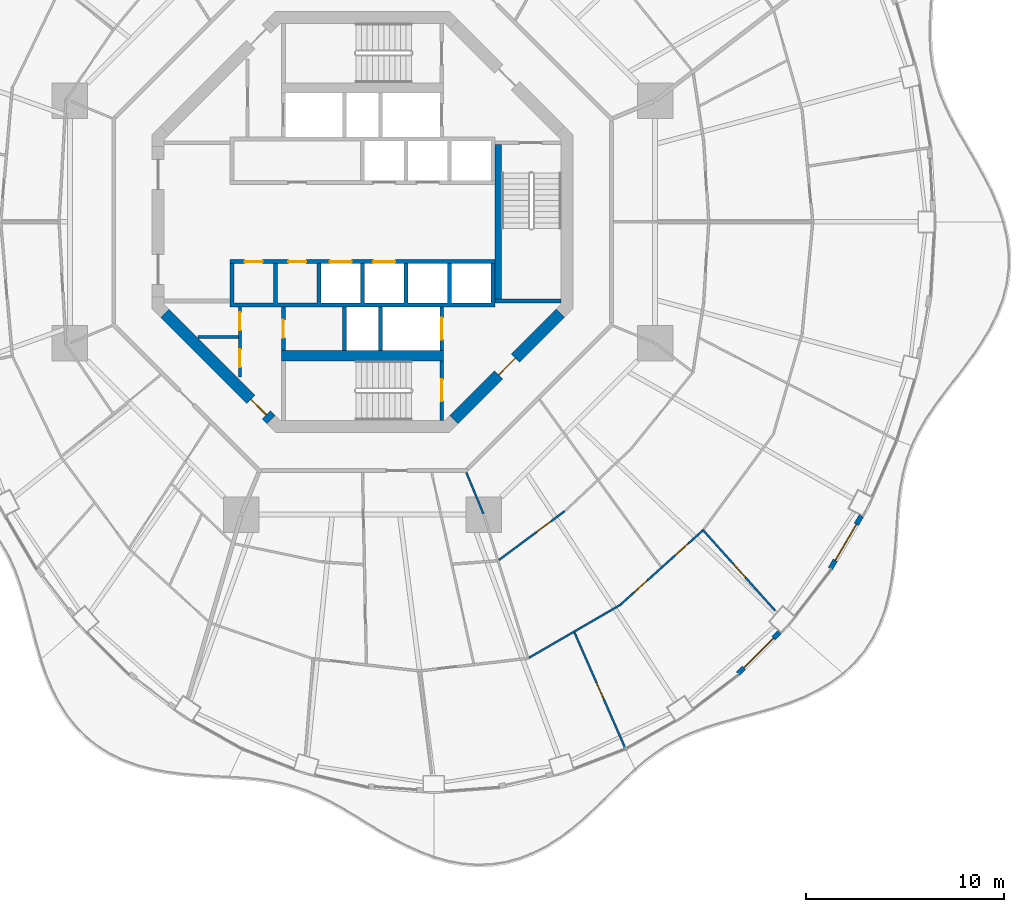
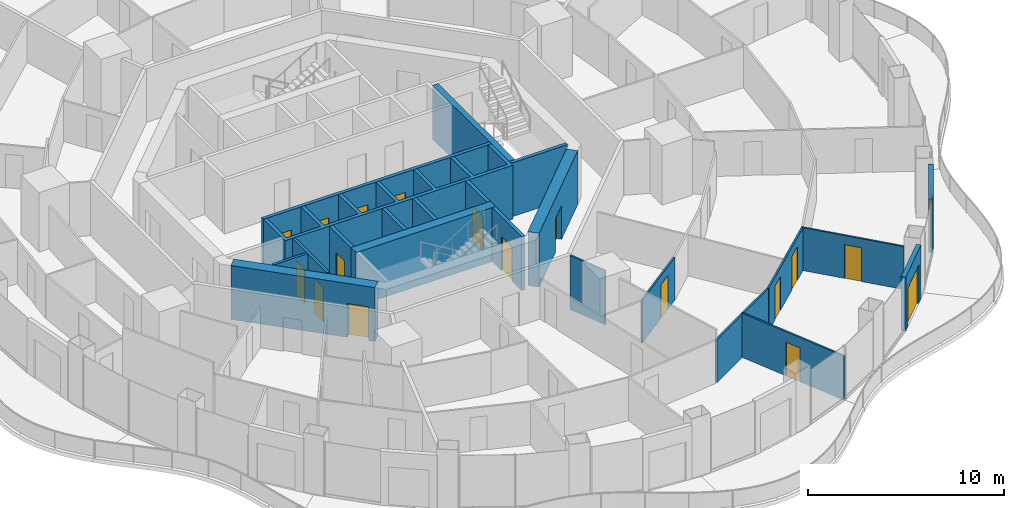
# One storey, part 12 of 19: 22 walls, 18 doors, 18 openings.
"""IFC4 building model written with IfcOpenShell, lengths in metres."""

from ifc_helpers import new_model, si_unit, direction, frame, frame_2d, origin, place, context, subcontext, project, spatial, polyline, rectangle, outline, extrude, material, layer, layer_set, type_object, element, fill, save


model = new_model("IFC4")

# Units and contexts
model_context = context("Model", 3, precision=1e-05, world=origin(), true_north=direction((0.0, 1.0)))
body_context = subcontext(model_context, "Body", "Model", "MODEL_VIEW")
ifc_project = project(units=[si_unit("LENGTHUNIT", "METRE"), si_unit("AREAUNIT", "SQUARE_METRE"), si_unit("VOLUMEUNIT", "CUBIC_METRE"), si_unit("PLANEANGLEUNIT", "RADIAN"), si_unit("MASSUNIT", "GRAM", prefix="KILO")], contexts=[model_context])

# Site, building, storey
site_placement = place(None, origin())
site = spatial("IfcSite", under=ifc_project, at=site_placement, CompositionType="ELEMENT")
building_placement = place(site_placement, origin())
building = spatial("IfcBuilding", under=site, at=building_placement, Name="Nagisa Residences", CompositionType="ELEMENT")
storey_placement = place(building_placement, frame((0.0, 0.0, 202.89990234375)))
storey = spatial("IfcBuildingStorey", under=building, at=storey_placement, Name="L51", CompositionType="ELEMENT", Elevation=202.89990234375)

# Wall
ifc_material_1 = material(Name="Gypsum board on steel studs", Category="steel")
ifc_layer_1 = layer(ifc_material_1, 0.10009765625)
ifc_layer_set_1 = layer_set([ifc_layer_1], Name="Apartment partition 100")
wall_type_1 = type_object("IfcWallType", Name="Apartment partition 100", PredefinedType="PARTITIONING", material=ifc_layer_set_1)
wall_1_placement = place(storey_placement, frame((5.24267578125, -12.6572265625, 0.0), z_axis=(0.0, 0.0, 1.0), x_axis=(0.382719158442, -0.923864733477, 0.0)))
element("IfcWall", 1, at=wall_1_placement, inside=storey, type_object=wall_type_1, Name="wall:L51:u76", PredefinedType="PARTITIONING", context=body_context, shape_type="SweptSolid", body=[
    extrude(rectangle(XDim=2.25, YDim=0.10009765625, at=frame_2d((1.125, 0.0))), origin(), (0.0, 0.0, 1.0), 3.35009765625),
])

# Wall, opening, door
wall_2_placement = place(storey_placement, frame((6.881103515625, -17.07958984375, 0.0), z_axis=(0.0, 0.0, 1.0), x_axis=(0.802784956441, 0.596268659005, 0.0)))
wall_2 = element("IfcWall", 2, at=wall_2_placement, inside=storey, type_object=wall_type_1, Name="wall:L51:u78", PredefinedType="PARTITIONING", context=body_context, shape_type="SweptSolid", body=[
    extrude(rectangle(XDim=4.142333984375, YDim=0.10009765625, at=frame_2d((2.0712890625, 0.0))), origin(), (0.0, 0.0, 1.0), 2.666015625),
])
opening_1_placement = place(wall_2_placement, frame((2.3837890625, 0.0, 0.0)))
opening_1 = element("IfcOpeningElement", 3, at=opening_1_placement, cuts=wall_2, Name="Opening L51-U18", PredefinedType="OPENING", context=body_context, shape_type="SweptSolid", body=[
    extrude(rectangle(XDim=0.89990234375, YDim=2.10009765625, at=frame_2d((0.449951171875, 1.050048828125))), frame((0.0, 0.06005859375, 0.0), z_axis=(0.0, -1.0, 0.0), x_axis=(1.0, 0.0, 0.0)), (0.0, 0.0, 1.0), 0.1201171875),
])
ifc_material_2 = material(Name="Timber door set", Category="wood")
door_type_1 = type_object("IfcDoorType", Name="Apartment door 900x2100", OperationType="NOTDEFINED", PredefinedType="DOOR", material=ifc_material_2)
door_1_placement = place(opening_1_placement, origin())
door_1 = element("IfcDoor", 4, at=door_1_placement, inside=storey, type_object=door_type_1, Name="Door to store, Apartment 51A", OperationType="SINGLE_SWING_RIGHT", OverallHeight=2.10009765625, OverallWidth=0.89990234375, PredefinedType="DOOR", context=body_context, shape_type="SweptSolid", body=[
    extrude(rectangle(XDim=0.89990234375, YDim=2.10009765625, at=frame_2d((0.449951171875, 1.050048828125))), frame((0.0, 0.02490234375, 0.0), z_axis=(0.0, -1.0, 0.0), x_axis=(1.0, 0.0, 0.0)), (0.0, 0.0, 1.0), 0.050048828125),
])
fill(opening_1, door_1)

# Wall
wall_3_placement = place(storey_placement, frame((8.405029296875, -22.01318359375, 0.0), z_axis=(0.0, 0.0, 1.0), x_axis=(0.865277177388, 0.501293732547, 0.0)))
element("IfcWall", 5, at=wall_3_placement, inside=storey, type_object=wall_type_1, Name="wall:L51:u79", PredefinedType="PARTITIONING", context=body_context, shape_type="SweptSolid", body=[
    extrude(rectangle(XDim=5.27001953125, YDim=0.10009765625, at=frame_2d((2.635009765625, 0.0))), origin(), (0.0, 0.0, 1.0), 2.666015625),
])

# Wall, opening, door
wall_4_placement = place(storey_placement, frame((10.705078125, -20.738037109375, 0.0), z_axis=(0.0, 0.0, 1.0), x_axis=(0.401740633891, -0.915753494714, 0.0)))
wall_4 = element("IfcWall", 6, at=wall_4_placement, inside=storey, type_object=wall_type_1, Name="wall:L51:u80", PredefinedType="PARTITIONING", context=body_context, shape_type="SweptSolid", body=[
    extrude(rectangle(XDim=6.4453125, YDim=0.10009765625, at=frame_2d((3.22265625, 0.0))), origin(), (0.0, 0.0, 1.0), 2.7470703125),
])
opening_2_placement = place(wall_4_placement, frame((2.772705078125, 0.0, 0.0)))
opening_2 = element("IfcOpeningElement", 7, at=opening_2_placement, cuts=wall_4, Name="Opening L51-U09", PredefinedType="OPENING", context=body_context, shape_type="SweptSolid", body=[
    extrude(rectangle(XDim=0.89990234375, YDim=2.10009765625, at=frame_2d((0.449951171875, 1.050048828125))), frame((0.0, 0.06005859375, 0.0), z_axis=(0.0, -1.0, 0.0), x_axis=(1.0, 0.0, 0.0)), (0.0, 0.0, 1.0), 0.1201171875),
])
door_2_placement = place(opening_2_placement, origin())
door_2 = element("IfcDoor", 8, at=door_2_placement, inside=storey, type_object=door_type_1, Name="Door to living room, Apartment 51A", OperationType="SINGLE_SWING_LEFT", OverallHeight=2.10009765625, OverallWidth=0.89990234375, PredefinedType="DOOR", context=body_context, shape_type="SweptSolid", body=[
    extrude(rectangle(XDim=0.89990234375, YDim=2.10009765625, at=frame_2d((0.449951171875, 1.050048828125))), frame((0.0, 0.02490234375, 0.0), z_axis=(0.0, -1.0, 0.0), x_axis=(1.0, 0.0, 0.0)), (0.0, 0.0, 1.0), 0.050048828125),
])
fill(opening_2, door_2)

# Wall, openings, doors
wall_5_placement = place(storey_placement, frame((12.97119140625, -19.3798828125, 0.0), z_axis=(0.0, 0.0, 1.0), x_axis=(0.742768881471, 0.669547898748, 0.0)))
wall_5 = element("IfcWall", 9, at=wall_5_placement, inside=storey, type_object=wall_type_1, Name="wall:L51:u82", PredefinedType="PARTITIONING", context=body_context, shape_type="SweptSolid", body=[
    extrude(rectangle(XDim=5.6416015625, YDim=0.10009765625, at=frame_2d((2.82080078125, 0.0))), origin(), (0.0, 0.0, 1.0), 2.666015625),
])
opening_3_placement = place(wall_5_placement, frame((1.010498046875, 0.0, 0.0)))
opening_3 = element("IfcOpeningElement", 10, at=opening_3_placement, cuts=wall_5, Name="Opening L51-U13", PredefinedType="OPENING", context=body_context, shape_type="SweptSolid", body=[
    extrude(rectangle(XDim=0.89990234375, YDim=2.10009765625, at=frame_2d((0.449951171875, 1.050048828125))), frame((0.0, 0.06005859375, 0.0), z_axis=(0.0, -1.0, 0.0), x_axis=(1.0, 0.0, 0.0)), (0.0, 0.0, 1.0), 0.1201171875),
])
opening_4_placement = place(wall_5_placement, frame((3.806396484375, 0.0, 0.0)))
opening_4 = element("IfcOpeningElement", 11, at=opening_4_placement, cuts=wall_5, Name="Opening L51-U14", PredefinedType="OPENING", context=body_context, shape_type="SweptSolid", body=[
    extrude(rectangle(XDim=0.89990234375, YDim=2.10009765625, at=frame_2d((0.449951171875, 1.050048828125))), frame((0.0, 0.06005859375, 0.0), z_axis=(0.0, -1.0, 0.0), x_axis=(1.0, 0.0, 0.0)), (0.0, 0.0, 1.0), 0.1201171875),
])
door_3_placement = place(opening_3_placement, origin())
door_3 = element("IfcDoor", 12, at=door_3_placement, inside=storey, type_object=door_type_1, Name="Door to kitchen, Apartment 51A", OperationType="SINGLE_SWING_LEFT", OverallHeight=2.10009765625, OverallWidth=0.89990234375, PredefinedType="DOOR", context=body_context, shape_type="SweptSolid", body=[
    extrude(rectangle(XDim=0.89990234375, YDim=2.10009765625, at=frame_2d((0.449951171875, 1.050048828125))), frame((0.0, 0.02490234375, 0.0), z_axis=(0.0, -1.0, 0.0), x_axis=(1.0, 0.0, 0.0)), (0.0, 0.0, 1.0), 0.050048828125),
])
fill(opening_3, door_3)
door_4_placement = place(opening_4_placement, origin())
door_4 = element("IfcDoor", 13, at=door_4_placement, inside=storey, type_object=door_type_1, Name="Door to dining room, Apartment 51A", OperationType="SINGLE_SWING_RIGHT", OverallHeight=2.10009765625, OverallWidth=0.89990234375, PredefinedType="DOOR", context=body_context, shape_type="SweptSolid", body=[
    extrude(rectangle(XDim=0.89990234375, YDim=2.10009765625, at=frame_2d((0.449951171875, 1.050048828125))), frame((0.0, 0.02490234375, 0.0), z_axis=(0.0, -1.0, 0.0), x_axis=(1.0, 0.0, 0.0)), (0.0, 0.0, 1.0), 0.050048828125),
])
fill(opening_4, door_4)

# Wall, opening, door
wall_6_placement = place(storey_placement, frame((17.16552734375, -15.53173828125, 0.0), z_axis=(0.0, 0.0, 1.0), x_axis=(0.66728415915, -0.744803229684, 0.0)))
wall_6 = element("IfcWall", 14, at=wall_6_placement, inside=storey, type_object=wall_type_1, Name="wall:L51:u85", PredefinedType="PARTITIONING", context=body_context, shape_type="SweptSolid", body=[
    extrude(rectangle(XDim=5.511474609375, YDim=0.10009765625, at=frame_2d((2.755859375, 0.0))), origin(), (0.0, 0.0, 1.0), 2.666015625),
])
opening_5_placement = place(wall_6_placement, frame((2.330810546875, 0.0, 0.0)))
opening_5 = element("IfcOpeningElement", 15, at=opening_5_placement, cuts=wall_6, Name="Opening L51-U10", PredefinedType="OPENING", context=body_context, shape_type="SweptSolid", body=[
    extrude(rectangle(XDim=0.89990234375, YDim=2.10009765625, at=frame_2d((0.449951171875, 1.050048828125))), frame((0.0, 0.06005859375, 0.0), z_axis=(0.0, -1.0, 0.0), x_axis=(1.0, 0.0, 0.0)), (0.0, 0.0, 1.0), 0.1201171875),
])
door_5_placement = place(opening_5_placement, origin())
door_5 = element("IfcDoor", 16, at=door_5_placement, inside=storey, type_object=door_type_1, Name="Door to dining room, Apartment 51A", OperationType="SINGLE_SWING_RIGHT", OverallHeight=2.10009765625, OverallWidth=0.89990234375, PredefinedType="DOOR", context=body_context, shape_type="SweptSolid", body=[
    extrude(rectangle(XDim=0.89990234375, YDim=2.10009765625, at=frame_2d((0.449951171875, 1.050048828125))), frame((0.0, 0.02490234375, 0.0), z_axis=(0.0, -1.0, 0.0), x_axis=(1.0, 0.0, 0.0)), (0.0, 0.0, 1.0), 0.050048828125),
])
fill(opening_5, door_5)

ifc_material_3 = material(Name="Precast concrete C40/50", Category="concrete")
ifc_layer_2 = layer(ifc_material_3, 0.25)
ifc_layer_set_2 = layer_set([ifc_layer_2], Name="BALCONY DOOR WALL 250")
wall_type_2 = type_object("IfcWallType", Name="BALCONY DOOR WALL 250", PredefinedType="SOLIDWALL", material=ifc_layer_set_2)
wall_7_placement = place(storey_placement, frame((21.065185546875, -20.7177734375, 0.0), z_axis=(0.0, 0.0, 1.0), x_axis=(-0.707844845069, -0.706367946122, 0.0)))
wall_7 = element("IfcWall", 17, at=wall_7_placement, inside=storey, type_object=wall_type_2, Name="wall:L51:bay41", PredefinedType="SOLIDWALL", context=body_context, shape_type="SweptSolid", body=[
    extrude(rectangle(XDim=2.9755859375, YDim=0.25, at=frame_2d((1.48779296875, 0.0))), origin(), (0.0, 0.0, 1.0), 3.35009765625),
])
opening_6_placement = place(wall_7_placement, frame((0.437744140625, 0.0, 0.0)))
opening_6 = element("IfcOpeningElement", 18, at=opening_6_placement, cuts=wall_7, Name="Opening BD-L51-14", PredefinedType="OPENING", context=body_context, shape_type="SweptSolid", body=[
    extrude(rectangle(XDim=2.10009765625, YDim=2.39990234375, at=frame_2d((1.050048828125, 1.199951171875))), frame((0.0, 0.135009765625, 0.0), z_axis=(0.0, -1.0, 0.0), x_axis=(1.0, 0.0, 0.0)), (0.0, 0.0, 1.0), 0.27001953125),
])
ifc_material_4 = material(Name="Aluminium and clear glass", Category="aluminium")
door_type_2 = type_object("IfcDoorType", Name="BALCONY SLIDING DOOR 2100x2400", OperationType="SLIDING_TO_LEFT", PredefinedType="DOOR", material=ifc_material_4)
door_6_placement = place(opening_6_placement, origin())
door_6 = element("IfcDoor", 19, at=door_6_placement, inside=storey, type_object=door_type_2, Name="door:L51:bay41", OperationType="SLIDING_TO_LEFT", OverallHeight=2.39990234375, OverallWidth=2.10009765625, PredefinedType="DOOR", context=body_context, shape_type="SweptSolid", body=[
    extrude(rectangle(XDim=2.10009765625, YDim=2.39990234375, at=frame_2d((1.050048828125, 1.199951171875))), frame((0.0, 0.02490234375, 0.0), z_axis=(0.0, -1.0, 0.0), x_axis=(1.0, 0.0, 0.0)), (0.0, 0.0, 1.0), 0.050048828125),
])
fill(opening_6, door_6)

wall_8_placement = place(storey_placement, frame((25.189208984375, -14.848388671875, 0.0), z_axis=(0.0, 0.0, 1.0), x_axis=(-0.506367803691, -0.862317602386, 0.0)))
wall_8 = element("IfcWall", 20, at=wall_8_placement, inside=storey, type_object=wall_type_2, Name="wall:L51:bay43", PredefinedType="SOLIDWALL", context=body_context, shape_type="SweptSolid", body=[
    extrude(rectangle(XDim=3.092041015625, YDim=0.25, at=frame_2d((1.5458984375, 0.0))), origin(), (0.0, 0.0, 1.0), 3.35009765625),
])
opening_7_placement = place(wall_8_placement, frame((0.495849609375, 0.0, 0.0)))
opening_7 = element("IfcOpeningElement", 21, at=opening_7_placement, cuts=wall_8, Name="Opening BD-L51-15", PredefinedType="OPENING", context=body_context, shape_type="SweptSolid", body=[
    extrude(rectangle(XDim=2.10009765625, YDim=2.39990234375, at=frame_2d((1.050048828125, 1.199951171875))), frame((0.0, 0.135009765625, 0.0), z_axis=(0.0, -1.0, 0.0), x_axis=(1.0, 0.0, 0.0)), (0.0, 0.0, 1.0), 0.27001953125),
])
door_7_placement = place(opening_7_placement, origin())
door_7 = element("IfcDoor", 22, at=door_7_placement, inside=storey, type_object=door_type_2, Name="door:L51:bay43", OperationType="SLIDING_TO_LEFT", OverallHeight=2.39990234375, OverallWidth=2.10009765625, PredefinedType="DOOR", context=body_context, shape_type="SweptSolid", body=[
    extrude(rectangle(XDim=2.10009765625, YDim=2.39990234375, at=frame_2d((1.050048828125, 1.199951171875))), frame((0.0, 0.02490234375, 0.0), z_axis=(0.0, -1.0, 0.0), x_axis=(1.0, 0.0, 0.0)), (0.0, 0.0, 1.0), 0.050048828125),
])
fill(opening_7, door_7)

# Wall, openings, doors
ifc_material_5 = material(Name="Gypsum board on steel studs", Category="steel")
ifc_layer_3 = layer(ifc_material_5, 0.14990234375)
ifc_layer_set_3 = layer_set([ifc_layer_3], Name="Core partition 150")
wall_type_3 = type_object("IfcWallType", Name="Core partition 150", PredefinedType="PARTITIONING", material=ifc_layer_set_3)
wall_9_placement = place(storey_placement, frame((-6.199951171875, -7.826904296875, 0.0), z_axis=(0.0, 0.0, 1.0), x_axis=(0.0, 1.0, 0.0)))
wall_9 = element("IfcWall", 23, at=wall_9_placement, inside=storey, type_object=wall_type_3, Name="wall:L51:SWp", PredefinedType="PARTITIONING", context=body_context, shape_type="SweptSolid", body=[
    extrude(rectangle(XDim=3.52685546875, YDim=0.14990234375, at=frame_2d((1.763427734375, 0.0))), origin(), (0.0, 0.0, 1.0), 3.35009765625),
])
opening_8_placement = place(wall_9_placement, frame((2.364501953125, 0.0, 0.0)))
opening_8 = element("IfcOpeningElement", 24, at=opening_8_placement, cuts=wall_9, Name="Opening L51-C12", PredefinedType="OPENING", context=body_context, shape_type="SweptSolid", body=[
    extrude(rectangle(XDim=0.89990234375, YDim=2.10009765625, at=frame_2d((0.449951171875, 1.050048828125))), frame((0.0, 0.0849609375, 0.0), z_axis=(0.0, -1.0, 0.0), x_axis=(1.0, 0.0, 0.0)), (0.0, 0.0, 1.0), 0.169921875),
])
opening_9_placement = place(wall_9_placement, frame((0.488525390625, 0.0, 0.0)))
opening_9 = element("IfcOpeningElement", 25, at=opening_9_placement, cuts=wall_9, Name="Opening L51-C13", PredefinedType="OPENING", context=body_context, shape_type="SweptSolid", body=[
    extrude(rectangle(XDim=0.89990234375, YDim=2.10009765625, at=frame_2d((0.449951171875, 1.050048828125))), frame((0.0, 0.0849609375, 0.0), z_axis=(0.0, -1.0, 0.0), x_axis=(1.0, 0.0, 0.0)), (0.0, 0.0, 1.0), 0.169921875),
])
ifc_material_6 = material(Name="Steel fire door", Category="steel")
door_type_3 = type_object("IfcDoorType", Name="Fire door EI30 900x2100 single swing", OperationType="NOTDEFINED", PredefinedType="DOOR", material=ifc_material_6)
door_8_placement = place(opening_8_placement, origin())
door_8 = element("IfcDoor", 26, at=door_8_placement, inside=storey, type_object=door_type_3, Name="Cleaner store door L51", OperationType="SINGLE_SWING_RIGHT", OverallHeight=2.10009765625, OverallWidth=0.89990234375, PredefinedType="DOOR", context=body_context, shape_type="SweptSolid", body=[
    extrude(rectangle(XDim=0.89990234375, YDim=2.10009765625, at=frame_2d((0.449951171875, 1.050048828125))), frame((0.0, 0.02490234375, 0.0), z_axis=(0.0, -1.0, 0.0), x_axis=(1.0, 0.0, 0.0)), (0.0, 0.0, 1.0), 0.050048828125),
])
fill(opening_8, door_8)
door_9_placement = place(opening_9_placement, origin())
door_9 = element("IfcDoor", 27, at=door_9_placement, inside=storey, type_object=door_type_3, Name="Package room door L51", OperationType="SINGLE_SWING_RIGHT", OverallHeight=2.10009765625, OverallWidth=0.89990234375, PredefinedType="DOOR", context=body_context, shape_type="SweptSolid", body=[
    extrude(rectangle(XDim=0.89990234375, YDim=2.10009765625, at=frame_2d((0.449951171875, 1.050048828125))), frame((0.0, 0.02490234375, 0.0), z_axis=(0.0, -1.0, 0.0), x_axis=(1.0, 0.0, 0.0)), (0.0, 0.0, 1.0), 0.050048828125),
])
fill(opening_9, door_9)

# Wall
wall_10_placement = place(storey_placement, frame((-8.301025390625, -5.800048828125, 0.0), z_axis=(0.0, 0.0, 1.0), x_axis=(1.0, 0.0, 0.0)))
element("IfcWall", 28, at=wall_10_placement, inside=storey, type_object=wall_type_3, Name="wall:L51:SWq", PredefinedType="PARTITIONING", context=body_context, shape_type="SweptSolid", body=[
    extrude(rectangle(XDim=2.026123046875, YDim=0.14990234375, at=frame_2d((1.01318359375, 0.0))), origin(), (0.0, 0.0, 1.0), 3.35009765625),
])

# Wall, opening, door
ifc_material_7 = material(Name="Concrete C60", Category="concrete")
ifc_layer_4 = layer(ifc_material_7, 0.60009765625)
ifc_layer_set_4 = layer_set([ifc_layer_4], Name="Core shear wall 600")
wall_type_4 = type_object("IfcWallType", Name="Core shear wall 600", PredefinedType="SHEAR", material=ifc_layer_set_4)
wall_11_placement = place(storey_placement, frame((-9.98828125, -4.613037109375, 0.0), z_axis=(0.0, 0.0, 1.0), x_axis=(0.707106781187, -0.707106781187, 0.0)))
wall_11 = element("IfcWall", 29, at=wall_11_placement, inside=storey, type_object=wall_type_4, Name="wall:L51:core:flat5", PredefinedType="SHEAR", context=body_context, shape_type="SweptSolid", body=[
    extrude(rectangle(XDim=7.601806640625, YDim=0.60009765625, at=frame_2d((3.80078125, 0.0))), origin(), (0.0, 0.0, 1.0), 3.35009765625),
])
opening_10_placement = place(wall_11_placement, frame((6.15087890625, 0.0, 0.0)))
opening_10 = element("IfcOpeningElement", 30, at=opening_10_placement, cuts=wall_11, Name="Opening L51-C23", PredefinedType="OPENING", context=body_context, shape_type="SweptSolid", body=[
    extrude(rectangle(XDim=1.10009765625, YDim=2.10009765625, at=frame_2d((0.550048828125, 1.050048828125))), frame((0.0, 0.31005859375, 0.0), z_axis=(0.0, -1.0, 0.0), x_axis=(1.0, 0.0, 0.0)), (0.0, 0.0, 1.0), 0.6201171875),
])
ifc_material_8 = material(Name="Steel fire door", Category="steel")
door_type_4 = type_object("IfcDoorType", Name="Fire door EI60 1100x2100 single swing", OperationType="NOTDEFINED", PredefinedType="DOOR", material=ifc_material_8)
door_10_placement = place(opening_10_placement, origin())
door_10 = element("IfcDoor", 31, at=door_10_placement, inside=storey, type_object=door_type_4, Name="Housekeeping lobby door L51", OperationType="SINGLE_SWING_RIGHT", OverallHeight=2.10009765625, OverallWidth=1.10009765625, PredefinedType="DOOR", context=body_context, shape_type="SweptSolid", body=[
    extrude(rectangle(XDim=1.10009765625, YDim=2.10009765625, at=frame_2d((0.550048828125, 1.050048828125))), frame((0.0, 0.02490234375, 0.0), z_axis=(0.0, -1.0, 0.0), x_axis=(1.0, 0.0, 0.0)), (0.0, 0.0, 1.0), 0.050048828125),
])
fill(opening_10, door_10)

wall_12_placement = place(storey_placement, frame((4.613037109375, -9.98828125, 0.0), z_axis=(0.0, 0.0, 1.0), x_axis=(0.707106781187, 0.707106781187, 0.0)))
wall_12 = element("IfcWall", 32, at=wall_12_placement, inside=storey, type_object=wall_type_4, Name="wall:L51:core:flat7", PredefinedType="SHEAR", context=body_context, shape_type="SweptSolid", body=[
    extrude(rectangle(XDim=7.601806640625, YDim=0.60009765625, at=frame_2d((3.80078125, 0.0))), origin(), (0.0, 0.0, 1.0), 3.35009765625),
])
opening_11_placement = place(wall_12_placement, frame((3.200927734375, 0.0, 0.0)))
opening_11 = element("IfcOpeningElement", 33, at=opening_11_placement, cuts=wall_12, Name="Opening L51-C19", PredefinedType="OPENING", context=body_context, shape_type="SweptSolid", body=[
    extrude(rectangle(XDim=1.199951171875, YDim=2.10009765625, at=frame_2d((0.60009765625, 1.050048828125))), frame((0.0, 0.31005859375, 0.0), z_axis=(0.0, -1.0, 0.0), x_axis=(1.0, 0.0, 0.0)), (0.0, 0.0, 1.0), 0.6201171875),
])
ifc_material_9 = material(Name="Steel fire door", Category="steel")
door_type_5 = type_object("IfcDoorType", Name="Fire door EI60 1200x2100 single swing", OperationType="NOTDEFINED", PredefinedType="DOOR", material=ifc_material_9)
door_11_placement = place(opening_11_placement, origin())
door_11 = element("IfcDoor", 34, at=door_11_placement, inside=storey, type_object=door_type_5, Name="Firefighting lobby 2 door L51", OperationType="SINGLE_SWING_RIGHT", OverallHeight=2.10009765625, OverallWidth=1.199951171875, PredefinedType="DOOR", context=body_context, shape_type="SweptSolid", body=[
    extrude(rectangle(XDim=1.199951171875, YDim=2.10009765625, at=frame_2d((0.60009765625, 1.050048828125))), frame((0.0, 0.02490234375, 0.0), z_axis=(0.0, -1.0, 0.0), x_axis=(1.0, 0.0, 0.0)), (0.0, 0.0, 1.0), 0.050048828125),
])
fill(opening_11, door_11)

ifc_material_10 = material(Name="Concrete C60", Category="concrete")
ifc_layer_5 = layer(ifc_material_10, 0.199951171875)
ifc_layer_set_5 = layer_set([ifc_layer_5], Name="Lift shaft wall 200")
wall_type_5 = type_object("IfcWallType", Name="Lift shaft wall 200", PredefinedType="SOLIDWALL", material=ifc_layer_set_5)
wall_13_placement = place(storey_placement, frame((4.0, -6.5, 0.0), z_axis=(0.0, 0.0, 1.0), x_axis=(0.0, 1.0, 0.0)))
wall_13 = element("IfcWall", 35, at=wall_13_placement, inside=storey, type_object=wall_type_5, Name="wall:L51:Sb3", PredefinedType="SOLIDWALL", context=body_context, shape_type="SweptSolid", body=[
    extrude(rectangle(XDim=2.199951171875, YDim=0.199951171875, at=frame_2d((1.10009765625, 0.0))), origin(), (0.0, 0.0, 1.0), 3.35009765625),
])
opening_12_placement = place(wall_13_placement, frame((0.550048828125, 0.0, 0.0)))
opening_12 = element("IfcOpeningElement", 36, at=opening_12_placement, cuts=wall_13, Name="Opening L51-C06", PredefinedType="OPENING", context=body_context, shape_type="SweptSolid", body=[
    extrude(rectangle(XDim=1.10009765625, YDim=2.10009765625, at=frame_2d((0.550048828125, 1.050048828125))), frame((0.0, 0.10986328125, 0.0), z_axis=(0.0, -1.0, 0.0), x_axis=(1.0, 0.0, 0.0)), (0.0, 0.0, 1.0), 0.219970703125),
])
ifc_material_11 = material(Name="Stainless steel", Category="steel")
door_type_6 = type_object("IfcDoorType", Name="Lift landing door 1100x2100", OperationType="DOUBLE_DOOR_SLIDING", PredefinedType="DOOR", material=ifc_material_11)
door_12_placement = place(opening_12_placement, origin())
door_12 = element("IfcDoor", 37, at=door_12_placement, inside=storey, type_object=door_type_6, Name="Landing door FL2 L51", OperationType="DOUBLE_DOOR_SLIDING", OverallHeight=2.10009765625, OverallWidth=1.10009765625, PredefinedType="DOOR", context=body_context, shape_type="SweptSolid", body=[
    extrude(rectangle(XDim=1.10009765625, YDim=2.10009765625, at=frame_2d((0.550048828125, 1.050048828125))), frame((0.0, 0.02490234375, 0.0), z_axis=(0.0, -1.0, 0.0), x_axis=(1.0, 0.0, 0.0)), (0.0, 0.0, 1.0), 0.050048828125),
])
fill(opening_12, door_12)

wall_14_placement = place(storey_placement, frame((-4.0, -6.5, 0.0), z_axis=(0.0, 0.0, 1.0), x_axis=(0.0, 1.0, 0.0)))
wall_14 = element("IfcWall", 38, at=wall_14_placement, inside=storey, type_object=wall_type_5, Name="wall:L51:Sb4", PredefinedType="SOLIDWALL", context=body_context, shape_type="SweptSolid", body=[
    extrude(rectangle(XDim=2.199951171875, YDim=0.199951171875, at=frame_2d((1.10009765625, 0.0))), origin(), (0.0, 0.0, 1.0), 3.35009765625),
])
opening_13_placement = place(wall_14_placement, frame((0.64990234375, 0.0, 0.0)))
opening_13 = element("IfcOpeningElement", 39, at=opening_13_placement, cuts=wall_14, Name="Opening L51-C14", PredefinedType="OPENING", context=body_context, shape_type="SweptSolid", body=[
    extrude(rectangle(XDim=0.89990234375, YDim=2.10009765625, at=frame_2d((0.449951171875, 1.050048828125))), frame((0.0, 0.10986328125, 0.0), z_axis=(0.0, -1.0, 0.0), x_axis=(1.0, 0.0, 0.0)), (0.0, 0.0, 1.0), 0.219970703125),
])
door_13_placement = place(opening_13_placement, frame((0.89990234375, 0.0, 0.0), x_axis=(-1.0, 0.0, 0.0)))
door_13 = element("IfcDoor", 40, at=door_13_placement, inside=storey, type_object=door_type_3, Name="Refuse room door L51", OperationType="SINGLE_SWING_LEFT", OverallHeight=2.10009765625, OverallWidth=0.89990234375, PredefinedType="DOOR", context=body_context, shape_type="SweptSolid", body=[
    extrude(rectangle(XDim=0.89990234375, YDim=2.10009765625, at=frame_2d((0.449951171875, 1.050048828125))), frame((0.0, 0.02490234375, 0.0), z_axis=(0.0, -1.0, 0.0), x_axis=(1.0, 0.0, 0.0)), (0.0, 0.0, 1.0), 0.050048828125),
])
fill(opening_13, door_13)

# Wall, openings, doors
wall_15_placement = place(storey_placement, frame((-6.699951171875, -2.0, 0.0), z_axis=(0.0, 0.0, 1.0), x_axis=(1.0, 0.0, 0.0)))
wall_15 = element("IfcWall", 41, at=wall_15_placement, inside=storey, type_object=wall_type_5, Name="wall:L51:Sfront", PredefinedType="SOLIDWALL", context=body_context, shape_type="SweptSolid", body=[
    extrude(rectangle(XDim=13.39990234375, YDim=0.199951171875, at=frame_2d((6.699951171875, 0.0))), origin(), (0.0, 0.0, 1.0), 3.35009765625),
])
opening_14_placement = place(wall_15_placement, frame((5.050048828125, 0.0, 0.0)))
opening_14 = element("IfcOpeningElement", 42, at=opening_14_placement, cuts=wall_15, Name="Opening L51-C03", PredefinedType="OPENING", context=body_context, shape_type="SweptSolid", body=[
    extrude(rectangle(XDim=1.10009765625, YDim=2.10009765625, at=frame_2d((0.550048828125, 1.050048828125))), frame((0.0, 0.10986328125, 0.0), z_axis=(0.0, -1.0, 0.0), x_axis=(1.0, 0.0, 0.0)), (0.0, 0.0, 1.0), 0.219970703125),
])
opening_15_placement = place(wall_15_placement, frame((7.25, 0.0, 0.0)))
opening_15 = element("IfcOpeningElement", 43, at=opening_15_placement, cuts=wall_15, Name="Opening L51-C04", PredefinedType="OPENING", context=body_context, shape_type="SweptSolid", body=[
    extrude(rectangle(XDim=1.10009765625, YDim=2.10009765625, at=frame_2d((0.550048828125, 1.050048828125))), frame((0.0, 0.10986328125, 0.0), z_axis=(0.0, -1.0, 0.0), x_axis=(1.0, 0.0, 0.0)), (0.0, 0.0, 1.0), 0.219970703125),
])
opening_16_placement = place(wall_15_placement, frame((0.75, 0.0, 0.0)))
opening_16 = element("IfcOpeningElement", 44, at=opening_16_placement, cuts=wall_15, Name="Opening L51-C16", PredefinedType="OPENING", context=body_context, shape_type="SweptSolid", body=[
    extrude(rectangle(XDim=0.89990234375, YDim=2.10009765625, at=frame_2d((0.449951171875, 1.050048828125))), frame((0.0, 0.10986328125, 0.0), z_axis=(0.0, -1.0, 0.0), x_axis=(1.0, 0.0, 0.0)), (0.0, 0.0, 1.0), 0.219970703125),
])
opening_17_placement = place(wall_15_placement, frame((2.949951171875, 0.0, 0.0)))
opening_17 = element("IfcOpeningElement", 45, at=opening_17_placement, cuts=wall_15, Name="Opening L51-C17", PredefinedType="OPENING", context=body_context, shape_type="SweptSolid", body=[
    extrude(rectangle(XDim=0.89990234375, YDim=2.10009765625, at=frame_2d((0.449951171875, 1.050048828125))), frame((0.0, 0.10986328125, 0.0), z_axis=(0.0, -1.0, 0.0), x_axis=(1.0, 0.0, 0.0)), (0.0, 0.0, 1.0), 0.219970703125),
])
door_14_placement = place(opening_16_placement, frame((0.89990234375, 0.0, 0.0), x_axis=(-1.0, 0.0, 0.0)))
door_14 = element("IfcDoor", 46, at=door_14_placement, inside=storey, type_object=door_type_3, Name="Recycling room door L51", OperationType="SINGLE_SWING_RIGHT", OverallHeight=2.10009765625, OverallWidth=0.89990234375, PredefinedType="DOOR", context=body_context, shape_type="SweptSolid", body=[
    extrude(rectangle(XDim=0.89990234375, YDim=2.10009765625, at=frame_2d((0.449951171875, 1.050048828125))), frame((0.0, 0.02490234375, 0.0), z_axis=(0.0, -1.0, 0.0), x_axis=(1.0, 0.0, 0.0)), (0.0, 0.0, 1.0), 0.050048828125),
])
fill(opening_16, door_14)
door_15_placement = place(opening_17_placement, frame((0.89990234375, 0.0, 0.0), x_axis=(-1.0, 0.0, 0.0)))
door_15 = element("IfcDoor", 47, at=door_15_placement, inside=storey, type_object=door_type_3, Name="Stationery store door L51", OperationType="SINGLE_SWING_RIGHT", OverallHeight=2.10009765625, OverallWidth=0.89990234375, PredefinedType="DOOR", context=body_context, shape_type="SweptSolid", body=[
    extrude(rectangle(XDim=0.89990234375, YDim=2.10009765625, at=frame_2d((0.449951171875, 1.050048828125))), frame((0.0, 0.02490234375, 0.0), z_axis=(0.0, -1.0, 0.0), x_axis=(1.0, 0.0, 0.0)), (0.0, 0.0, 1.0), 0.050048828125),
])
fill(opening_17, door_15)
door_16_placement = place(opening_14_placement, origin())
door_16 = element("IfcDoor", 48, at=door_16_placement, inside=storey, type_object=door_type_6, Name="Landing door B3 L51", OperationType="DOUBLE_DOOR_SLIDING", OverallHeight=2.10009765625, OverallWidth=1.10009765625, PredefinedType="DOOR", context=body_context, shape_type="SweptSolid", body=[
    extrude(rectangle(XDim=1.10009765625, YDim=2.10009765625, at=frame_2d((0.550048828125, 1.050048828125))), frame((0.0, 0.02490234375, 0.0), z_axis=(0.0, -1.0, 0.0), x_axis=(1.0, 0.0, 0.0)), (0.0, 0.0, 1.0), 0.050048828125),
])
fill(opening_14, door_16)
door_17_placement = place(opening_15_placement, origin())
door_17 = element("IfcDoor", 49, at=door_17_placement, inside=storey, type_object=door_type_6, Name="Landing door B4 L51", OperationType="DOUBLE_DOOR_SLIDING", OverallHeight=2.10009765625, OverallWidth=1.10009765625, PredefinedType="DOOR", context=body_context, shape_type="SweptSolid", body=[
    extrude(rectangle(XDim=1.10009765625, YDim=2.10009765625, at=frame_2d((0.550048828125, 1.050048828125))), frame((0.0, 0.02490234375, 0.0), z_axis=(0.0, -1.0, 0.0), x_axis=(1.0, 0.0, 0.0)), (0.0, 0.0, 1.0), 0.050048828125),
])
fill(opening_15, door_17)

# Walls
for number, where, z_axis, x_axis, name in (
    (50, (-0.89990234375, -6.5, 0.0), (0.0, 0.0, 1.0), (0.0, 1.0, 0.0), "wall:L51:Sb1"),
    (51, (0.89990234375, -6.5, 0.0), (0.0, 0.0, 1.0), (0.0, 1.0, 0.0), "wall:L51:Sb2"),
):
    element("IfcWall", number, at=place(storey_placement, frame(where, z_axis=z_axis, x_axis=x_axis)), inside=storey, type_object=wall_type_5, Name=name, PredefinedType="SOLIDWALL", context=body_context, shape_type="SweptSolid", body=[
        extrude(rectangle(XDim=2.199951171875, YDim=0.199951171875, at=frame_2d((1.10009765625, 0.0))), origin(), (0.0, 0.0, 1.0), 3.35009765625),
    ])
wall_16_placement = place(storey_placement, origin())
element("IfcWall", 52, at=wall_16_placement, inside=storey, type_object=wall_type_5, Name="wall:L51:Sback", PredefinedType="SOLIDWALL", context=body_context, shape_type="SweptSolid", body=[
    extrude(outline(polyline([(-6.699951171875, -2.10009765625), (-6.5, -2.10009765625), (-6.5, -4.10009765625), (-4.5, -4.10009765625), (-4.5, -2.10009765625), (-4.300048828125, -2.10009765625), (-4.300048828125, -4.10009765625), (-2.300048828125, -4.10009765625), (-2.300048828125, -2.10009765625), (-2.10009765625, -2.10009765625), (-2.10009765625, -4.10009765625), (-0.10009765625, -4.10009765625), (-0.10009765625, -2.10009765625), (0.10009765625, -2.10009765625), (0.10009765625, -4.10009765625), (2.10009765625, -4.10009765625), (2.10009765625, -2.10009765625), (2.300048828125, -2.10009765625), (2.300048828125, -4.10009765625), (4.300048828125, -4.10009765625), (4.300048828125, -2.10009765625), (4.5, -2.10009765625), (4.5, -4.10009765625), (6.5, -4.10009765625), (6.5, -2.10009765625), (6.699951171875, -2.10009765625), (6.699951171875, -4.300048828125), (-6.699951171875, -4.300048828125), (-6.699951171875, -2.10009765625)])), origin(), (0.0, 0.0, 1.0), 3.35009765625),
])

# Wall, opening, door
ifc_material_12 = material(Name="Concrete C60", Category="concrete")
ifc_layer_6 = layer(ifc_material_12, 0.199951171875)
ifc_layer_set_6 = layer_set([ifc_layer_6], Name="Stair enclosure wall 200")
wall_type_6 = type_object("IfcWallType", Name="Stair enclosure wall 200", PredefinedType="SOLIDWALL", material=ifc_layer_set_6)
wall_17_placement = place(storey_placement, frame((4.0, -10.024658203125, 0.0), z_axis=(0.0, 0.0, 1.0), x_axis=(0.0, 1.0, 0.0)))
wall_17 = element("IfcWall", 53, at=wall_17_placement, inside=storey, type_object=wall_type_6, Name="wall:L51:SS_e", PredefinedType="SOLIDWALL", context=body_context, shape_type="SweptSolid", body=[
    extrude(rectangle(XDim=3.0, YDim=0.199951171875, at=frame_2d((1.5, 0.0))), origin(), (0.0, 0.0, 1.0), 3.35009765625),
])
opening_18_placement = place(wall_17_placement, frame((0.974609375, 0.0, 0.0)))
opening_18 = element("IfcOpeningElement", 54, at=opening_18_placement, cuts=wall_17, Name="Opening L51-C10", PredefinedType="OPENING", context=body_context, shape_type="SweptSolid", body=[
    extrude(rectangle(XDim=1.10009765625, YDim=2.10009765625, at=frame_2d((0.550048828125, 1.050048828125))), frame((0.0, 0.10986328125, 0.0), z_axis=(0.0, -1.0, 0.0), x_axis=(1.0, 0.0, 0.0)), (0.0, 0.0, 1.0), 0.219970703125),
])
ifc_material_13 = material(Name="Steel fire door", Category="steel")
door_type_7 = type_object("IfcDoorType", Name="Fire door EI90 1100x2100 single swing", OperationType="NOTDEFINED", PredefinedType="DOOR", material=ifc_material_13)
door_18_placement = place(opening_18_placement, origin())
door_18 = element("IfcDoor", 55, at=door_18_placement, inside=storey, type_object=door_type_7, Name="Stair door ST-S L51", OperationType="SINGLE_SWING_RIGHT", OverallHeight=2.10009765625, OverallWidth=1.10009765625, PredefinedType="DOOR", context=body_context, shape_type="SweptSolid", body=[
    extrude(rectangle(XDim=1.10009765625, YDim=2.10009765625, at=frame_2d((0.550048828125, 1.050048828125))), frame((0.0, 0.02490234375, 0.0), z_axis=(0.0, -1.0, 0.0), x_axis=(1.0, 0.0, 0.0)), (0.0, 0.0, 1.0), 0.050048828125),
])
fill(opening_18, door_18)

# Walls
wall_18_placement = place(storey_placement, origin())
element("IfcWall", 56, at=wall_18_placement, inside=storey, type_object=wall_type_6, Name="wall:L51:SS_n", PredefinedType="SOLIDWALL", context=body_context, shape_type="SweptSolid", body=[
    extrude(outline(polyline([(4.10009765625, -7.024658203125), (-4.10009765625, -7.024658203125), (-4.10009765625, -6.5), (4.10009765625, -6.5), (4.10009765625, -7.024658203125)])), origin(), (0.0, 0.0, 1.0), 3.35009765625),
])
wall_19_placement = place(storey_placement, origin())
element("IfcWall", 57, at=wall_19_placement, inside=storey, type_object=wall_type_6, Name="wall:L51:SE_w", PredefinedType="SOLIDWALL", context=body_context, shape_type="SweptSolid", body=[
    extrude(outline(polyline([(7.024658203125, -3.89990234375), (6.699951171875, -3.89990234375), (6.699951171875, 3.89990234375), (7.024658203125, 3.89990234375), (7.024658203125, -3.89990234375)])), origin(), (0.0, 0.0, 1.0), 3.35009765625),
])
wall_20_placement = place(storey_placement, origin())
element("IfcWall", 58, at=wall_20_placement, inside=storey, type_object=wall_type_6, Name="wall:L51:SE_s", PredefinedType="SOLIDWALL", context=body_context, shape_type="SweptSolid", body=[
    extrude(outline(polyline([(10.024658203125, -4.10009765625), (6.699951171875, -4.10009765625), (6.699951171875, -3.89990234375), (10.024658203125, -3.89990234375), (10.024658203125, -4.10009765625)])), origin(), (0.0, 0.0, 1.0), 3.35009765625),
])

save(model, "model.ifc")
